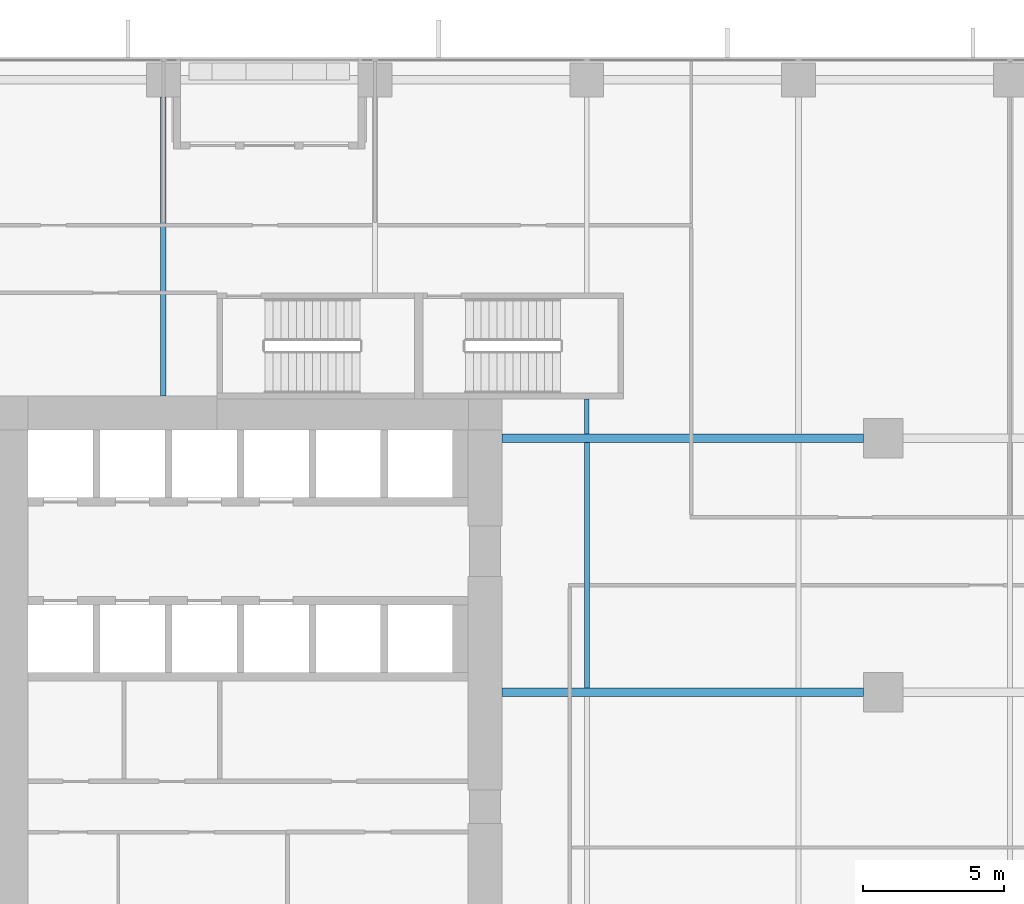
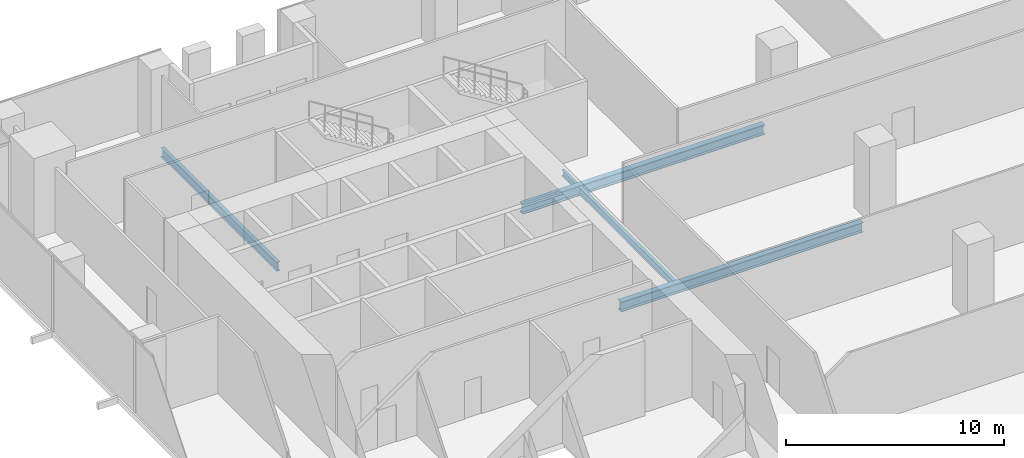
# One storey, part 13 of 32: 5 beams.
"""IFC4 building model written with IfcOpenShell, lengths in metres."""

from ifc_helpers import new_model, si_unit, direction, frame, origin, origin_2d, place, context, subcontext, project, spatial, i_section, extrude, source, transform, mapped, material, material_profile, profile_set, type_object, element, save


model = new_model("IFC4")

# Units and contexts
model_context = context("Model", 3, precision=1e-05, world=origin(), true_north=direction((0.0, 1.0)))
body_context = subcontext(model_context, "Body", "Model", "MODEL_VIEW")
ifc_project = project(units=[si_unit("LENGTHUNIT", "METRE"), si_unit("AREAUNIT", "SQUARE_METRE"), si_unit("VOLUMEUNIT", "CUBIC_METRE"), si_unit("PLANEANGLEUNIT", "RADIAN"), si_unit("MASSUNIT", "GRAM", prefix="KILO")], contexts=[model_context])

# Site, building, storey
site_placement = place(None, origin())
site = spatial("IfcSite", under=ifc_project, at=site_placement, CompositionType="ELEMENT")
building_placement = place(site_placement, origin())
building = spatial("IfcBuilding", under=site, at=building_placement, Name="Khomas Fold Tower", CompositionType="ELEMENT")
storey_placement = place(building_placement, frame((0.0, 0.0, 42.0)))
storey = spatial("IfcBuildingStorey", under=building, at=storey_placement, Name="L08", CompositionType="ELEMENT", Elevation=42.0)

# Beams
ifc_material_1 = material(Name="Steel S355", Category="steel")
ifc_material_profile_1 = material_profile(ifc_material_1, i_section(OverallWidth=0.300048828125, OverallDepth=0.550048828125, WebThickness=0.014892578125, FlangeThickness=0.029052734375, at=origin_2d()), Name="HE 550 B")
ifc_profile_set_1 = profile_set([ifc_material_profile_1], Name="Steel S355")
beam_type_1 = type_object("IfcBeamType", Name="HE 550 B beam GB4", PredefinedType="BEAM", material=ifc_profile_set_1)
shared_shape_1 = source(origin(), body_context, "Body", "SweptSolid", [
    extrude(i_section(OverallWidth=0.300048828125, OverallDepth=0.550048828125, WebThickness=0.014892578125, FlangeThickness=0.029052734375, at=origin_2d()), origin(), (0.0, 0.0, 1.0), 12.800048828125),
])
for number, where, z_axis, x_axis, name in (
    (1, (24.0, 31.5, -0.574951171875), (1.0, 0.0, 0.0), (0.0, 1.0, 0.0), "GB4"),
    (2, (24.0, 40.5, -0.574951171875), (1.0, 0.0, 0.0), (0.0, 1.0, 0.0), "GB4"),
):
    element("IfcBeam", number, at=place(storey_placement, frame(where, z_axis=z_axis, x_axis=x_axis)), inside=storey, type_object=beam_type_1, Name=name, PredefinedType="BEAM", context=body_context, shape_type="MappedRepresentation", body=[
        mapped(shared_shape_1, transform((0.0, 0.0, 0.0))),
    ])
ifc_material_2 = material(Name="Steel S355", Category="steel")
ifc_material_profile_2 = material_profile(ifc_material_2, i_section(OverallWidth=0.199951171875, OverallDepth=0.5, WebThickness=0.01025390625, FlangeThickness=0.01611328125, at=origin_2d()), Name="IPE 500")
ifc_profile_set_2 = profile_set([ifc_material_profile_2], Name="Steel S355")
beam_type_2 = type_object("IfcBeamType", Name="IPE 500 beam JB5", PredefinedType="BEAM", material=ifc_profile_set_2)
shared_shape_2 = source(origin(), body_context, "Body", "SweptSolid", [
    extrude(i_section(OverallWidth=0.199951171875, OverallDepth=0.5, WebThickness=0.01025390625, FlangeThickness=0.01611328125, at=origin_2d()), origin(), (0.0, 0.0, 1.0), 10.60009765625),
])
beam_1_placement = place(storey_placement, frame((12.0, 42.0, -0.550048828125), z_axis=(0.0, 1.0, 0.0), x_axis=(-1.0, 0.0, 0.0)))
element("IfcBeam", 3, at=beam_1_placement, inside=storey, type_object=beam_type_2, Name="JB5", PredefinedType="BEAM", context=body_context, shape_type="MappedRepresentation", body=[
    mapped(shared_shape_2, transform((0.0, 0.0, 0.0))),
])
ifc_material_3 = material(Name="Steel S355", Category="steel")
ifc_material_profile_3 = material_profile(ifc_material_3, i_section(OverallWidth=0.179931640625, OverallDepth=0.39990234375, WebThickness=0.008544921875, FlangeThickness=0.013427734375, at=origin_2d()), Name="IPE 400")
ifc_profile_set_3 = profile_set([ifc_material_profile_3], Name="Steel S355")
beam_type_3 = type_object("IfcBeamType", Name="IPE 400 beam JB3", PredefinedType="BEAM", material=ifc_profile_set_3)
shared_shape_3 = source(origin(), body_context, "Body", "SweptSolid", [
    extrude(i_section(OverallWidth=0.179931640625, OverallDepth=0.39990234375, WebThickness=0.008544921875, FlangeThickness=0.013427734375, at=origin_2d()), origin(), (0.0, 0.0, 1.0), 8.7001953125),
])
beam_2_placement = place(storey_placement, frame((27.0, 31.64990234375, -0.5), z_axis=(0.0, 1.0, 0.0), x_axis=(-1.0, 0.0, 0.0)))
element("IfcBeam", 4, at=beam_2_placement, inside=storey, type_object=beam_type_3, Name="JB3", PredefinedType="BEAM", context=body_context, shape_type="MappedRepresentation", body=[
    mapped(shared_shape_3, transform((0.0, 0.0, 0.0))),
])
ifc_material_4 = material(Name="Steel S355", Category="steel")
ifc_material_profile_4 = material_profile(ifc_material_4, i_section(OverallWidth=0.159912109375, OverallDepth=0.330078125, WebThickness=0.007568359375, FlangeThickness=0.011474609375, at=origin_2d()), Name="IPE 330")
ifc_profile_set_4 = profile_set([ifc_material_profile_4], Name="Steel S355")
beam_type_4 = type_object("IfcBeamType", Name="IPE 330 beam JB1", PredefinedType="BEAM", material=ifc_profile_set_4)
shared_shape_4 = source(origin(), body_context, "Body", "SweptSolid", [
    extrude(i_section(OverallWidth=0.159912109375, OverallDepth=0.330078125, WebThickness=0.007568359375, FlangeThickness=0.011474609375, at=origin_2d()), origin(), (0.0, 0.0, 1.0), 1.25),
])
beam_3_placement = place(storey_placement, frame((27.0, 40.64990234375, -0.465087890625), z_axis=(0.0, 1.0, 0.0), x_axis=(-1.0, 0.0, 0.0)))
element("IfcBeam", 5, at=beam_3_placement, inside=storey, type_object=beam_type_4, Name="JB1", PredefinedType="BEAM", context=body_context, shape_type="MappedRepresentation", body=[
    mapped(shared_shape_4, transform((0.0, 0.0, 0.0))),
])

save(model, "model.ifc")
